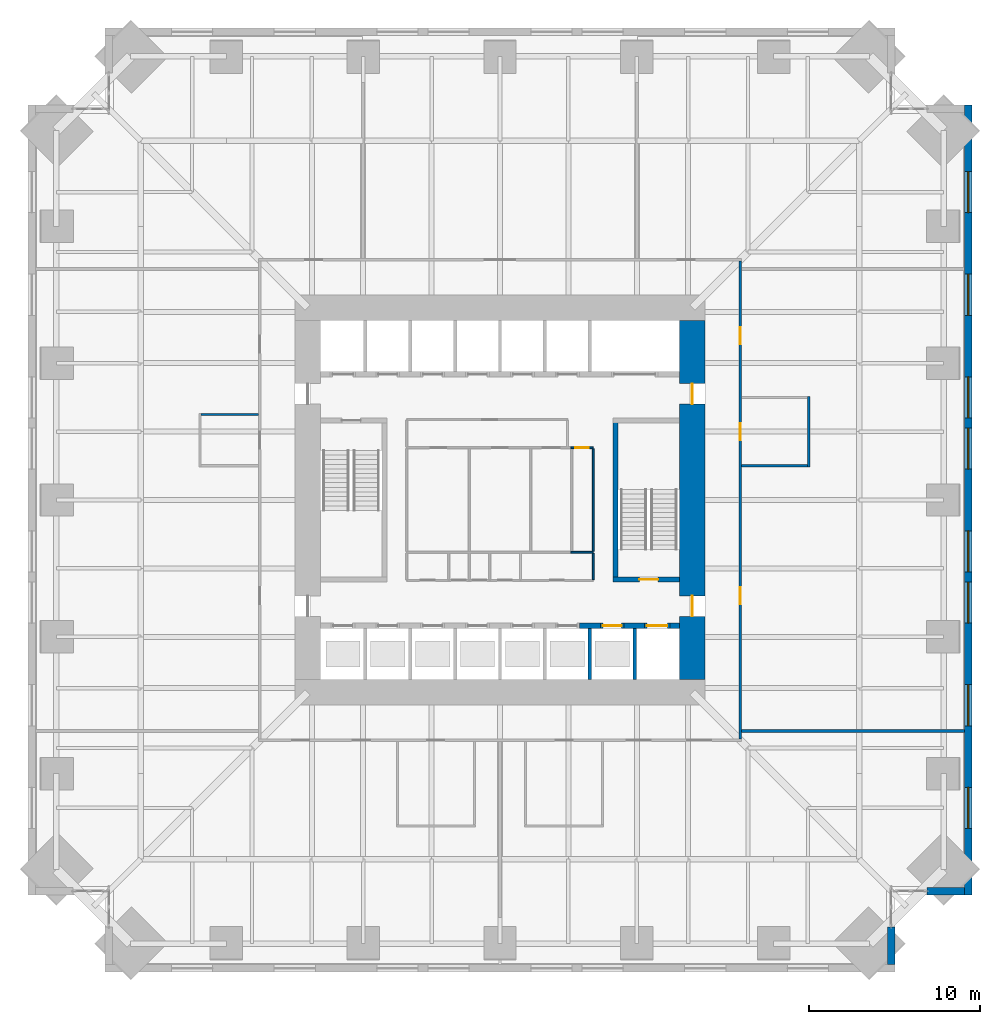
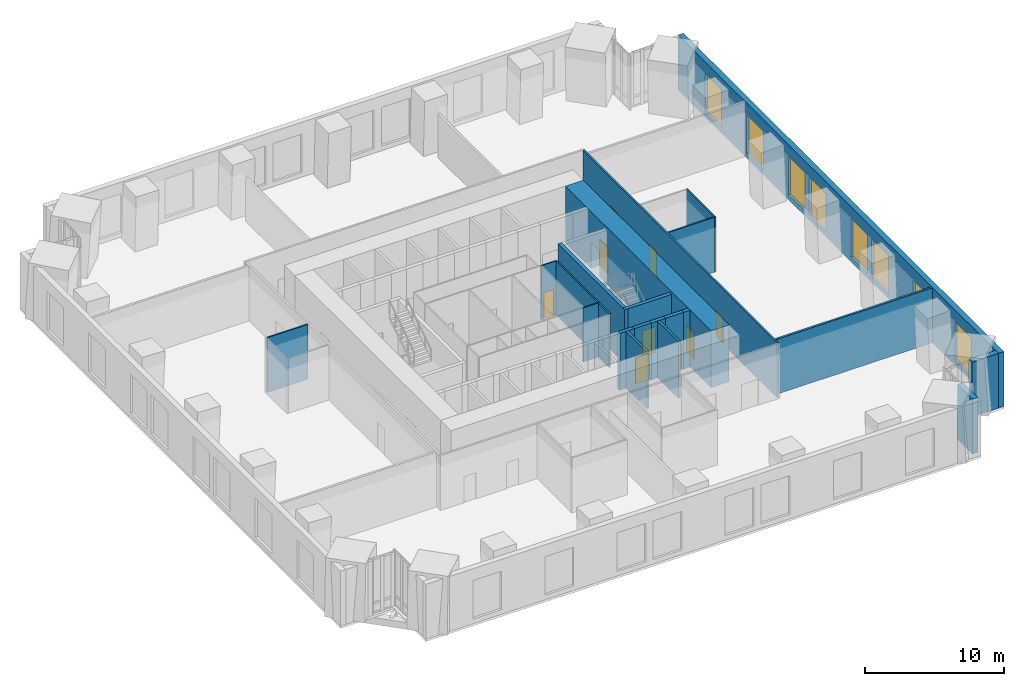
# One storey, part 14 of 18: 22 walls, 9 doors, 8 windows, 17 openings.
"""IFC4 building model written with IfcOpenShell, lengths in metres."""

import ifcopenshell
import ifcopenshell.guid

model = None  # the IFC model being written
_history = None  # IfcOwnerHistory: only IFC2X3 demands one
_inside = {}  # id of a spatial element -> (the spatial element, [elements in it])
_under = {}  # id of a project, library or spatial element -> (it, [spatial elements below it])
_declared = {}  # id of a project -> (the project, [libraries it declares])
_typed = {}  # id of a type object -> (the type object, [elements of that type])
_made_of = {}  # id of a material, layer set ... -> (it, [elements and type objects made of it])


def new_model(schema):
    """Start an empty IFC model of exactly this schema.

    Asked for "IFC4X3", IfcOpenShell would pick the latest addendum, in which some entities
    have other attributes; the version numbers below select the first issue.
    IFC2X3 requires an IfcOwnerHistory on every rooted entity: one is made here for all.
    """
    global model, _history
    if schema == "IFC4X3":
        model = ifcopenshell.file(schema_version=(4, 3, 0, 0))
    else:
        model = ifcopenshell.file(schema=schema)
    _inside.clear()
    _under.clear()
    _declared.clear()
    _typed.clear()
    _made_of.clear()
    _history = None
    if model.schema == "IFC2X3":
        org = make("IfcOrganization", Name="unknown")
        user = make(
            "IfcPersonAndOrganization",
            ThePerson=make("IfcPerson", FamilyName="unknown"),
            TheOrganization=org,
        )
        app = make(
            "IfcApplication",
            ApplicationDeveloper=org,
            Version="unknown",
            ApplicationFullName="unknown",
            ApplicationIdentifier="unknown",
        )
        _history = make(
            "IfcOwnerHistory",
            OwningUser=user,
            OwningApplication=app,
            ChangeAction="ADDED",
            CreationDate=0,
        )
    return model


def make(cls, **values):
    """One entity of the class cls with the attributes given. An attribute that is None is left unset."""
    return model.create_entity(
        cls, **{name: value for name, value in values.items() if value is not None}
    )


def rooted(cls, **values):
    """An entity with a GlobalId (a new one), such as an element, a storey or a relation."""
    return make(cls, GlobalId=ifcopenshell.guid.new(), OwnerHistory=_history, **values)


def si_unit(unit_type, name, prefix=None):
    """IfcSIUnit, for example si_unit("LENGTHUNIT", "METRE", prefix="MILLI")."""
    return make("IfcSIUnit", UnitType=unit_type, Prefix=prefix, Name=name)


def assignment(units):
    """IfcUnitAssignment: the units of a project."""
    return None if units is None else make("IfcUnitAssignment", Units=units)


def point(xyz):
    """IfcCartesianPoint."""
    return None if xyz is None else make("IfcCartesianPoint", Coordinates=xyz)


def direction(xyz):
    """IfcDirection."""
    return None if xyz is None else make("IfcDirection", DirectionRatios=xyz)


def frame(location, z_axis=None, x_axis=None):
    """IfcAxis2Placement3D, a coordinate frame: its origin and axes. An axis left out is left unset."""
    return make(
        "IfcAxis2Placement3D",
        Location=point(location),
        Axis=direction(z_axis),
        RefDirection=direction(x_axis),
    )


def frame_2d(location, x_axis=None):
    """IfcAxis2Placement2D, a coordinate frame in the plane: its origin and x axis."""
    return make(
        "IfcAxis2Placement2D", Location=point(location), RefDirection=direction(x_axis)
    )


def origin():
    """The frame at (0, 0, 0) with its axes left unset."""
    return frame((0.0, 0.0, 0.0))


def place(relative_to, where):
    """IfcLocalPlacement: puts the frame where relative to a parent placement (None: the world)."""
    return make(
        "IfcLocalPlacement", PlacementRelTo=relative_to, RelativePlacement=where
    )


def context(
    kind, dimensions, precision=None, world=None, true_north=None, identifier=None
):
    """IfcGeometricRepresentationContext, for example the 3D "Model" context."""
    return make(
        "IfcGeometricRepresentationContext",
        ContextIdentifier=identifier,
        ContextType=kind,
        CoordinateSpaceDimension=dimensions,
        Precision=precision,
        WorldCoordinateSystem=world,
        TrueNorth=true_north,
    )


def subcontext(parent, identifier, kind, view, scale=None):
    """IfcGeometricRepresentationSubContext, for example "Body" below "Model"."""
    return make(
        "IfcGeometricRepresentationSubContext",
        ContextIdentifier=identifier,
        ContextType=kind,
        ParentContext=parent,
        TargetScale=scale,
        TargetView=view,
    )


def project(units=None, contexts=None):
    """IfcProject with its units and contexts."""
    return rooted(
        "IfcProject",
        Name="project",
        RepresentationContexts=contexts,
        UnitsInContext=assignment(units),
    )


def spatial(cls, under=None, at=None, **own):
    """A site, building, storey or space (cls), placed at a placement, below another one or the project."""
    s = rooted(cls, ObjectPlacement=at, **own)
    if under is not None:
        _under.setdefault(under.id(), (under, []))[1].append(s)
    return s


def profile(cls, at=None, kind="AREA", **sizes):
    """A parametric profile (cls). Its sizes go by their IFC names, for example OverallWidth=200.0."""
    return make(cls, ProfileType=kind, Position=at, **sizes)


def rectangle(**sizes):
    """IfcRectangleProfileDef."""
    return profile("IfcRectangleProfileDef", **sizes)


def extrude(swept, where, along, depth):
    """IfcExtrudedAreaSolid: the profile swept, set in the frame where, extruded along a direction by depth."""
    return make(
        "IfcExtrudedAreaSolid",
        SweptArea=swept,
        Position=where,
        ExtrudedDirection=direction(along),
        Depth=depth,
    )


def shape(context_of_items, identifier, shape_type, items):
    """IfcShapeRepresentation: the items that make up one representation, for example the "Body"."""
    return make(
        "IfcShapeRepresentation",
        ContextOfItems=context_of_items,
        RepresentationIdentifier=identifier,
        RepresentationType=shape_type,
        Items=items,
    )


def material(Name=None, Category=None):
    """IfcMaterial."""
    return make("IfcMaterial", Name=Name, Category=Category)


def layer(
    of_material, thickness, ventilated=None, Name=None, Category=None, Priority=None
):
    """IfcMaterialLayer: one layer of a wall or slab, of a material (None: an air gap)."""
    return make(
        "IfcMaterialLayer",
        Material=of_material,
        LayerThickness=thickness,
        IsVentilated=ventilated,
        Name=Name,
        Category=Category,
        Priority=Priority,
    )


def layer_set(layers, Name=None):
    """IfcMaterialLayerSet."""
    return make("IfcMaterialLayerSet", MaterialLayers=layers, LayerSetName=Name)


def made_of(thing, what):
    """Note that an element or type object is made of a material, layer set ...; save() writes the relation."""
    if what is not None:
        _made_of.setdefault(what.id(), (what, []))[1].append(thing)
    return thing


def type_object(cls, material=None, **own):
    """A type object (cls), such as IfcWallType, which elements share."""
    return made_of(rooted(cls, **own), material)


def element(
    cls,
    number,
    at=None,
    inside=None,
    cuts=None,
    type_object=None,
    material=None,
    context=None,
    identifier="Body",
    shape_type=None,
    held_by="IfcProductDefinitionShape",
    body=None,
    shapes=None,
    **own,
):
    """One element of the class cls, such as IfcWall. Its Tag is "e" and its number.

    at: its placement. inside: the storey or other place that contains it. cuts: it is an
    opening in that element (IfcRelVoidsElement). A single representation is given by context,
    identifier, shape_type and body (its items); several are given by shapes. held_by: the class
    of the entity that holds the representations. save() writes the other relations.
    """
    e = rooted(cls, Tag="e%d" % number, ObjectPlacement=at, **own)
    if body is not None:
        shapes = [shape(context, identifier, shape_type, body)]
    if shapes is not None:
        e.Representation = make(held_by, Representations=shapes)
    if inside is not None:
        _inside.setdefault(inside.id(), (inside, []))[1].append(e)
    if cuts is not None:
        rooted(
            "IfcRelVoidsElement", RelatingBuildingElement=cuts, RelatedOpeningElement=e
        )
    if type_object is not None:
        _typed.setdefault(type_object.id(), (type_object, []))[1].append(e)
    return made_of(e, material)


def fill(opening, filler):
    """IfcRelFillsElement: the door or window that sits in an opening."""
    return rooted(
        "IfcRelFillsElement",
        RelatingOpeningElement=opening,
        RelatedBuildingElement=filler,
    )


def aggregate(whole, parts):
    """IfcRelAggregates: a whole, such as a stair, and the parts it consists of."""
    return rooted("IfcRelAggregates", RelatingObject=whole, RelatedObjects=parts)


def save(model, path):
    """Write the relations noted so far, then the file.

    IfcRelAggregates (storeys below a building ...), IfcRelContainedInSpatialStructure (elements
    in a storey), IfcRelDefinesByType, IfcRelAssociatesMaterial and IfcRelDeclares: one each for
    every whole, place, type object, material and project.
    """
    for whole, parts in _under.values():
        aggregate(whole, parts)
    for where, things in _inside.values():
        rooted(
            "IfcRelContainedInSpatialStructure",
            RelatedElements=things,
            RelatingStructure=where,
        )
    for kind, things in _typed.values():
        rooted("IfcRelDefinesByType", RelatedObjects=things, RelatingType=kind)
    for what, things in _made_of.values():
        rooted("IfcRelAssociatesMaterial", RelatedObjects=things, RelatingMaterial=what)
    for by, libraries in _declared.values():
        rooted("IfcRelDeclares", RelatingContext=by, RelatedDefinitions=libraries)
    model.write(path)


model = new_model("IFC4")

# Units and contexts
model_context = context("Model", 3, precision=1e-05, world=origin(), true_north=direction((0.0, 1.0)))
body_context = subcontext(model_context, "Body", "Model", "MODEL_VIEW")
ifc_project = project(units=[si_unit("LENGTHUNIT", "METRE"), si_unit("AREAUNIT", "SQUARE_METRE"), si_unit("VOLUMEUNIT", "CUBIC_METRE"), si_unit("PLANEANGLEUNIT", "RADIAN"), si_unit("MASSUNIT", "GRAM", prefix="KILO")], contexts=[model_context])

# Site, building, storey
site_placement = place(None, origin())
site = spatial("IfcSite", under=ifc_project, at=site_placement, CompositionType="ELEMENT")
building_placement = place(site_placement, origin())
building = spatial("IfcBuilding", under=site, at=building_placement, Name="Peilmerk Tower", CompositionType="ELEMENT")
storey_placement = place(building_placement, frame((0.0, 0.0, 122.800048828125)))
storey = spatial("IfcBuildingStorey", under=building, at=storey_placement, Name="L24", CompositionType="ELEMENT", Elevation=122.800048828125)

# Wall, openings, windows
ifc_material_1 = material(Name="Precast concrete C45/55, board-marked finish", Category="concrete")
ifc_layer_1 = layer(ifc_material_1, 0.449951171875)
ifc_layer_set_1 = layer_set([ifc_layer_1], Name="Precast concrete C45/55, board-marked finish")
wall_type_1 = type_object("IfcWallType", Name="EW1 450 precast concrete facade wall, board-marked", PredefinedType="SOLIDWALL", material=ifc_layer_set_1)
wall_1_placement = place(storey_placement, frame((27.375, -23.10009765625, 0.0), z_axis=(0.0, 0.0, 1.0), x_axis=(0.0, 1.0, 0.0)))
wall_1 = element("IfcWall", 1, at=wall_1_placement, inside=storey, type_object=wall_type_1, Name="Facade wall E L24", PredefinedType="SOLIDWALL", context=body_context, shape_type="SweptSolid", body=[
    extrude(rectangle(XDim=46.2001953125, YDim=0.449951171875, at=frame_2d((23.10009765625, 0.0))), origin(), (0.0, 0.0, 1.0), 4.829833984375),
])
opening_1_placement = place(wall_1_placement, frame((3.89990234375, 0.0, 0.39990234375)))
opening_1 = element("IfcOpeningElement", 2, at=opening_1_placement, cuts=wall_1, Name="Opening W6", PredefinedType="OPENING", context=body_context, shape_type="SweptSolid", body=[
    extrude(rectangle(XDim=2.39990234375, YDim=3.39990234375, at=frame_2d((1.199951171875, 1.699951171875))), frame((0.0, 0.23486328125, 0.0), z_axis=(0.0, -1.0, 0.0), x_axis=(1.0, 0.0, 0.0)), (0.0, 0.0, 1.0), 0.469970703125),
])
opening_2_placement = place(wall_1_placement, frame((9.89990234375, 0.0, 0.39990234375)))
opening_2 = element("IfcOpeningElement", 3, at=opening_2_placement, cuts=wall_1, Name="Opening W6", PredefinedType="OPENING", context=body_context, shape_type="SweptSolid", body=[
    extrude(rectangle(XDim=2.39990234375, YDim=3.39990234375, at=frame_2d((1.199951171875, 1.699951171875))), frame((0.0, 0.23486328125, 0.0), z_axis=(0.0, -1.0, 0.0), x_axis=(1.0, 0.0, 0.0)), (0.0, 0.0, 1.0), 0.469970703125),
])
opening_3_placement = place(wall_1_placement, frame((15.89990234375, 0.0, 0.39990234375)))
opening_3 = element("IfcOpeningElement", 4, at=opening_3_placement, cuts=wall_1, Name="Opening W6", PredefinedType="OPENING", context=body_context, shape_type="SweptSolid", body=[
    extrude(rectangle(XDim=2.39990234375, YDim=3.39990234375, at=frame_2d((1.199951171875, 1.699951171875))), frame((0.0, 0.23486328125, 0.0), z_axis=(0.0, -1.0, 0.0), x_axis=(1.0, 0.0, 0.0)), (0.0, 0.0, 1.0), 0.469970703125),
])
opening_4_placement = place(wall_1_placement, frame((18.89990234375, 0.0, 0.39990234375)))
opening_4 = element("IfcOpeningElement", 5, at=opening_4_placement, cuts=wall_1, Name="Opening W6", PredefinedType="OPENING", context=body_context, shape_type="SweptSolid", body=[
    extrude(rectangle(XDim=2.39990234375, YDim=3.39990234375, at=frame_2d((1.199951171875, 1.699951171875))), frame((0.0, 0.23486328125, 0.0), z_axis=(0.0, -1.0, 0.0), x_axis=(1.0, 0.0, 0.0)), (0.0, 0.0, 1.0), 0.469970703125),
])
opening_5_placement = place(wall_1_placement, frame((24.89990234375, 0.0, 0.39990234375)))
opening_5 = element("IfcOpeningElement", 6, at=opening_5_placement, cuts=wall_1, Name="Opening W6", PredefinedType="OPENING", context=body_context, shape_type="SweptSolid", body=[
    extrude(rectangle(XDim=2.39990234375, YDim=3.39990234375, at=frame_2d((1.199951171875, 1.699951171875))), frame((0.0, 0.23486328125, 0.0), z_axis=(0.0, -1.0, 0.0), x_axis=(1.0, 0.0, 0.0)), (0.0, 0.0, 1.0), 0.469970703125),
])
opening_6_placement = place(wall_1_placement, frame((27.89990234375, 0.0, 0.39990234375)))
opening_6 = element("IfcOpeningElement", 7, at=opening_6_placement, cuts=wall_1, Name="Opening W6", PredefinedType="OPENING", context=body_context, shape_type="SweptSolid", body=[
    extrude(rectangle(XDim=2.39990234375, YDim=3.39990234375, at=frame_2d((1.199951171875, 1.699951171875))), frame((0.0, 0.23486328125, 0.0), z_axis=(0.0, -1.0, 0.0), x_axis=(1.0, 0.0, 0.0)), (0.0, 0.0, 1.0), 0.469970703125),
])
opening_7_placement = place(wall_1_placement, frame((33.89990234375, 0.0, 0.39990234375)))
opening_7 = element("IfcOpeningElement", 8, at=opening_7_placement, cuts=wall_1, Name="Opening W6", PredefinedType="OPENING", context=body_context, shape_type="SweptSolid", body=[
    extrude(rectangle(XDim=2.39990234375, YDim=3.39990234375, at=frame_2d((1.199951171875, 1.699951171875))), frame((0.0, 0.23486328125, 0.0), z_axis=(0.0, -1.0, 0.0), x_axis=(1.0, 0.0, 0.0)), (0.0, 0.0, 1.0), 0.469970703125),
])
opening_8_placement = place(wall_1_placement, frame((39.89990234375, 0.0, 0.39990234375)))
opening_8 = element("IfcOpeningElement", 9, at=opening_8_placement, cuts=wall_1, Name="Opening W6", PredefinedType="OPENING", context=body_context, shape_type="SweptSolid", body=[
    extrude(rectangle(XDim=2.39990234375, YDim=3.39990234375, at=frame_2d((1.199951171875, 1.699951171875))), frame((0.0, 0.23486328125, 0.0), z_axis=(0.0, -1.0, 0.0), x_axis=(1.0, 0.0, 0.0)), (0.0, 0.0, 1.0), 0.469970703125),
])
ifc_material_2 = material(Name="Aluminium frame, clear double glazing", Category="aluminium")
window_type = type_object("IfcWindowType", Name="W6 2400x3400 sky lobby window", PartitioningType="SINGLE_PANEL", PredefinedType="WINDOW", material=ifc_material_2)
window_1_placement = place(opening_1_placement, origin())
window_1 = element("IfcWindow", 10, at=window_1_placement, inside=storey, type_object=window_type, Name="Window W6 L24", OverallHeight=3.39990234375, OverallWidth=2.39990234375, PartitioningType="SINGLE_PANEL", PredefinedType="WINDOW", context=body_context, shape_type="SweptSolid", body=[
    extrude(rectangle(XDim=2.39990234375, YDim=3.39990234375, at=frame_2d((1.199951171875, 1.699951171875))), frame((0.0, 0.030029296875, 0.0), z_axis=(0.0, -1.0, 0.0), x_axis=(1.0, 0.0, 0.0)), (0.0, 0.0, 1.0), 0.06005859375),
])
fill(opening_1, window_1)
window_2_placement = place(opening_2_placement, origin())
window_2 = element("IfcWindow", 11, at=window_2_placement, inside=storey, type_object=window_type, Name="Window W6 L24", OverallHeight=3.39990234375, OverallWidth=2.39990234375, PartitioningType="SINGLE_PANEL", PredefinedType="WINDOW", context=body_context, shape_type="SweptSolid", body=[
    extrude(rectangle(XDim=2.39990234375, YDim=3.39990234375, at=frame_2d((1.199951171875, 1.699951171875))), frame((0.0, 0.030029296875, 0.0), z_axis=(0.0, -1.0, 0.0), x_axis=(1.0, 0.0, 0.0)), (0.0, 0.0, 1.0), 0.06005859375),
])
fill(opening_2, window_2)
window_3_placement = place(opening_3_placement, origin())
window_3 = element("IfcWindow", 12, at=window_3_placement, inside=storey, type_object=window_type, Name="Window W6 L24", OverallHeight=3.39990234375, OverallWidth=2.39990234375, PartitioningType="SINGLE_PANEL", PredefinedType="WINDOW", context=body_context, shape_type="SweptSolid", body=[
    extrude(rectangle(XDim=2.39990234375, YDim=3.39990234375, at=frame_2d((1.199951171875, 1.699951171875))), frame((0.0, 0.030029296875, 0.0), z_axis=(0.0, -1.0, 0.0), x_axis=(1.0, 0.0, 0.0)), (0.0, 0.0, 1.0), 0.06005859375),
])
fill(opening_3, window_3)
window_4_placement = place(opening_4_placement, origin())
window_4 = element("IfcWindow", 13, at=window_4_placement, inside=storey, type_object=window_type, Name="Window W6 L24", OverallHeight=3.39990234375, OverallWidth=2.39990234375, PartitioningType="SINGLE_PANEL", PredefinedType="WINDOW", context=body_context, shape_type="SweptSolid", body=[
    extrude(rectangle(XDim=2.39990234375, YDim=3.39990234375, at=frame_2d((1.199951171875, 1.699951171875))), frame((0.0, 0.030029296875, 0.0), z_axis=(0.0, -1.0, 0.0), x_axis=(1.0, 0.0, 0.0)), (0.0, 0.0, 1.0), 0.06005859375),
])
fill(opening_4, window_4)
window_5_placement = place(opening_5_placement, origin())
window_5 = element("IfcWindow", 14, at=window_5_placement, inside=storey, type_object=window_type, Name="Window W6 L24", OverallHeight=3.39990234375, OverallWidth=2.39990234375, PartitioningType="SINGLE_PANEL", PredefinedType="WINDOW", context=body_context, shape_type="SweptSolid", body=[
    extrude(rectangle(XDim=2.39990234375, YDim=3.39990234375, at=frame_2d((1.199951171875, 1.699951171875))), frame((0.0, 0.030029296875, 0.0), z_axis=(0.0, -1.0, 0.0), x_axis=(1.0, 0.0, 0.0)), (0.0, 0.0, 1.0), 0.06005859375),
])
fill(opening_5, window_5)
window_6_placement = place(opening_6_placement, origin())
window_6 = element("IfcWindow", 15, at=window_6_placement, inside=storey, type_object=window_type, Name="Window W6 L24", OverallHeight=3.39990234375, OverallWidth=2.39990234375, PartitioningType="SINGLE_PANEL", PredefinedType="WINDOW", context=body_context, shape_type="SweptSolid", body=[
    extrude(rectangle(XDim=2.39990234375, YDim=3.39990234375, at=frame_2d((1.199951171875, 1.699951171875))), frame((0.0, 0.030029296875, 0.0), z_axis=(0.0, -1.0, 0.0), x_axis=(1.0, 0.0, 0.0)), (0.0, 0.0, 1.0), 0.06005859375),
])
fill(opening_6, window_6)
window_7_placement = place(opening_7_placement, origin())
window_7 = element("IfcWindow", 16, at=window_7_placement, inside=storey, type_object=window_type, Name="Window W6 L24", OverallHeight=3.39990234375, OverallWidth=2.39990234375, PartitioningType="SINGLE_PANEL", PredefinedType="WINDOW", context=body_context, shape_type="SweptSolid", body=[
    extrude(rectangle(XDim=2.39990234375, YDim=3.39990234375, at=frame_2d((1.199951171875, 1.699951171875))), frame((0.0, 0.030029296875, 0.0), z_axis=(0.0, -1.0, 0.0), x_axis=(1.0, 0.0, 0.0)), (0.0, 0.0, 1.0), 0.06005859375),
])
fill(opening_7, window_7)
window_8_placement = place(opening_8_placement, origin())
window_8 = element("IfcWindow", 17, at=window_8_placement, inside=storey, type_object=window_type, Name="Window W6 L24", OverallHeight=3.39990234375, OverallWidth=2.39990234375, PartitioningType="SINGLE_PANEL", PredefinedType="WINDOW", context=body_context, shape_type="SweptSolid", body=[
    extrude(rectangle(XDim=2.39990234375, YDim=3.39990234375, at=frame_2d((1.199951171875, 1.699951171875))), frame((0.0, 0.030029296875, 0.0), z_axis=(0.0, -1.0, 0.0), x_axis=(1.0, 0.0, 0.0)), (0.0, 0.0, 1.0), 0.06005859375),
])
fill(opening_8, window_8)

# Walls
for number, where, z_axis, x_axis, name in (
    (18, (22.875, -24.95361328125, 0.0), (0.0, 0.0, 1.0), (0.0, -1.0, 0.0), "Facade wall SEA L24"),
    (19, (24.95361328125, -22.875, 0.0), (0.0, 0.0, 1.0), (1.0, 0.0, 0.0), "Facade wall SEB L24"),
):
    element("IfcWall", number, at=place(storey_placement, frame(where, z_axis=z_axis, x_axis=x_axis)), inside=storey, type_object=wall_type_1, Name=name, PredefinedType="SOLIDWALL", context=body_context, shape_type="SweptSolid", body=[
        extrude(rectangle(XDim=2.1962890625, YDim=0.449951171875, at=frame_2d((1.09814453125, 0.0))), origin(), (0.0, 0.0, 1.0), 4.829833984375),
    ])

# Wall, openings, doors
ifc_material_3 = material(Name="Calcium silicate block", Category="masonry")
ifc_layer_2 = layer(ifc_material_3, 0.14990234375)
ifc_layer_set_2 = layer_set([ifc_layer_2], Name="Calcium silicate block")
wall_type_2 = type_object("IfcWallType", Name="IW1 150 corridor partition, EI 60", PredefinedType="PARTITIONING", material=ifc_layer_set_2)
wall_2_placement = place(storey_placement, frame((14.050048828125, -13.97509765625, 0.0), z_axis=(0.0, 0.0, 1.0), x_axis=(0.0, 1.0, 0.0)))
wall_2 = element("IfcWall", 20, at=wall_2_placement, inside=storey, type_object=wall_type_2, Name="Corridor wall E L24", PredefinedType="PARTITIONING", context=body_context, shape_type="SweptSolid", body=[
    extrude(rectangle(XDim=27.9501953125, YDim=0.14990234375, at=frame_2d((13.97509765625, 0.0))), origin(), (0.0, 0.0, 1.0), 4.829833984375),
])
opening_9_placement = place(wall_2_placement, frame((7.875, 0.0, 0.0)))
opening_9 = element("IfcOpeningElement", 21, at=opening_9_placement, cuts=wall_2, Name="Opening D1", PredefinedType="OPENING", context=body_context, shape_type="SweptSolid", body=[
    extrude(rectangle(XDim=1.0, YDim=2.300048828125, at=frame_2d((0.5, 1.14990234375))), frame((0.0, 0.0849609375, 0.0), z_axis=(0.0, -1.0, 0.0), x_axis=(1.0, 0.0, 0.0)), (0.0, 0.0, 1.0), 0.169921875),
])
opening_10_placement = place(wall_2_placement, frame((23.074951171875, 0.0, 0.0)))
opening_10 = element("IfcOpeningElement", 22, at=opening_10_placement, cuts=wall_2, Name="Opening D1", PredefinedType="OPENING", context=body_context, shape_type="SweptSolid", body=[
    extrude(rectangle(XDim=1.0, YDim=2.300048828125, at=frame_2d((0.5, 1.14990234375))), frame((0.0, 0.0849609375, 0.0), z_axis=(0.0, -1.0, 0.0), x_axis=(1.0, 0.0, 0.0)), (0.0, 0.0, 1.0), 0.169921875),
])
opening_11_placement = place(wall_2_placement, frame((17.47509765625, 0.0, 0.0)))
opening_11 = element("IfcOpeningElement", 23, at=opening_11_placement, cuts=wall_2, Name="Opening D1", PredefinedType="OPENING", context=body_context, shape_type="SweptSolid", body=[
    extrude(rectangle(XDim=1.0, YDim=2.300048828125, at=frame_2d((0.5, 1.14990234375))), frame((0.0, 0.0849609375, 0.0), z_axis=(0.0, -1.0, 0.0), x_axis=(1.0, 0.0, 0.0)), (0.0, 0.0, 1.0), 0.169921875),
])
ifc_material_4 = material(Name="Timber door in steel frame", Category="steel")
door_type_1 = type_object("IfcDoorType", Name="D1 1000x2300 room door, EI2 30", OperationType="SINGLE_SWING_LEFT", PredefinedType="DOOR", material=ifc_material_4)
door_1_placement = place(opening_9_placement, frame((1.0, 0.0, 0.0), z_axis=(0.0, 0.0, 1.0), x_axis=(-1.0, 0.0, 0.0)))
door_1 = element("IfcDoor", 24, at=door_1_placement, inside=storey, type_object=door_type_1, Name="Door Office L24", OperationType="SINGLE_SWING_LEFT", OverallHeight=2.300048828125, OverallWidth=1.0, PredefinedType="DOOR", context=body_context, shape_type="SweptSolid", body=[
    extrude(rectangle(XDim=1.0, YDim=2.300048828125, at=frame_2d((0.5, 1.14990234375))), frame((0.0, 0.02490234375, 0.0), z_axis=(0.0, -1.0, 0.0), x_axis=(1.0, 0.0, 0.0)), (0.0, 0.0, 1.0), 0.050048828125),
])
fill(opening_9, door_1)
door_2_placement = place(opening_10_placement, frame((1.0, 0.0, 0.0), z_axis=(0.0, 0.0, 1.0), x_axis=(-1.0, 0.0, 0.0)))
door_2 = element("IfcDoor", 25, at=door_2_placement, inside=storey, type_object=door_type_1, Name="Door Office L24", OperationType="SINGLE_SWING_LEFT", OverallHeight=2.300048828125, OverallWidth=1.0, PredefinedType="DOOR", context=body_context, shape_type="SweptSolid", body=[
    extrude(rectangle(XDim=1.0, YDim=2.300048828125, at=frame_2d((0.5, 1.14990234375))), frame((0.0, 0.02490234375, 0.0), z_axis=(0.0, -1.0, 0.0), x_axis=(1.0, 0.0, 0.0)), (0.0, 0.0, 1.0), 0.050048828125),
])
fill(opening_10, door_2)
door_3_placement = place(opening_11_placement, frame((1.0, 0.0, 0.0), z_axis=(0.0, 0.0, 1.0), x_axis=(-1.0, 0.0, 0.0)))
door_3 = element("IfcDoor", 26, at=door_3_placement, inside=storey, type_object=door_type_1, Name="Door Pantry L24", OperationType="SINGLE_SWING_LEFT", OverallHeight=2.300048828125, OverallWidth=1.0, PredefinedType="DOOR", context=body_context, shape_type="SweptSolid", body=[
    extrude(rectangle(XDim=1.0, YDim=2.300048828125, at=frame_2d((0.5, 1.14990234375))), frame((0.0, 0.02490234375, 0.0), z_axis=(0.0, -1.0, 0.0), x_axis=(1.0, 0.0, 0.0)), (0.0, 0.0, 1.0), 0.050048828125),
])
fill(opening_11, door_3)

# Wall
ifc_material_5 = material(Name="Concrete C35/45", Category="concrete")
ifc_layer_3 = layer(ifc_material_5, 0.300048828125)
ifc_layer_set_3 = layer_set([ifc_layer_3], Name="Concrete C35/45")
wall_type_3 = type_object("IfcWallType", Name="IW3 300 concrete stair enclosure wall, EI 120", PredefinedType="SOLIDWALL", material=ifc_layer_set_3)
wall_3_placement = place(storey_placement, frame((6.75, -4.800048828125, 0.0), z_axis=(0.0, 0.0, 1.0), x_axis=(0.0, 1.0, 0.0)))
element("IfcWall", 27, at=wall_3_placement, inside=storey, type_object=wall_type_3, Name="Stair 2 enclosure L24", PredefinedType="SOLIDWALL", context=body_context, shape_type="SweptSolid", body=[
    extrude(rectangle(XDim=9.60009765625, YDim=0.300048828125, at=frame_2d((4.800048828125, 0.0))), origin(), (0.0, 0.0, 1.0), 4.75),
])

# Wall, opening, door
wall_4_placement = place(storey_placement, frame((10.5, -4.64990234375, 0.0), z_axis=(0.0, 0.0, 1.0), x_axis=(-1.0, 0.0, 0.0)))
wall_4 = element("IfcWall", 28, at=wall_4_placement, inside=storey, type_object=wall_type_3, Name="Stair 2 enclosure L24", PredefinedType="SOLIDWALL", context=body_context, shape_type="SweptSolid", body=[
    extrude(rectangle(XDim=3.89990234375, YDim=0.300048828125, at=frame_2d((1.949951171875, 0.0))), origin(), (0.0, 0.0, 1.0), 4.75),
])
opening_12_placement = place(wall_4_placement, frame((1.25, 0.0, 0.0)))
opening_12 = element("IfcOpeningElement", 29, at=opening_12_placement, cuts=wall_4, Name="Opening D4", PredefinedType="OPENING", context=body_context, shape_type="SweptSolid", body=[
    extrude(rectangle(XDim=1.10009765625, YDim=2.300048828125, at=frame_2d((0.550048828125, 1.14990234375))), frame((0.0, 0.159912109375, 0.0), z_axis=(0.0, -1.0, 0.0), x_axis=(1.0, 0.0, 0.0)), (0.0, 0.0, 1.0), 0.320068359375),
])
ifc_material_6 = material(Name="Steel door in steel frame", Category="steel")
door_type_2 = type_object("IfcDoorType", Name="D4 1100x2300 stair door, EI2 60", OperationType="SINGLE_SWING_RIGHT", PredefinedType="DOOR", material=ifc_material_6)
door_4_placement = place(opening_12_placement, frame((1.10009765625, 0.0, 0.0), z_axis=(0.0, 0.0, 1.0), x_axis=(-1.0, 0.0, 0.0)))
door_4 = element("IfcDoor", 30, at=door_4_placement, inside=storey, type_object=door_type_2, Name="Stair 2 door L24", OperationType="SINGLE_SWING_RIGHT", OverallHeight=2.300048828125, OverallWidth=1.10009765625, PredefinedType="DOOR", context=body_context, shape_type="SweptSolid", body=[
    extrude(rectangle(XDim=1.10009765625, YDim=2.300048828125, at=frame_2d((0.550048828125, 1.14990234375))), frame((0.0, 0.02490234375, 0.0), z_axis=(0.0, -1.0, 0.0), x_axis=(1.0, 0.0, 0.0)), (0.0, 0.0, 1.0), 0.050048828125),
])
fill(opening_12, door_4)

ifc_material_7 = material(Name="Calcium silicate board on steel studs", Category="steel")
ifc_layer_4 = layer(ifc_material_7, 0.10009765625)
ifc_layer_set_4 = layer_set([ifc_layer_4], Name="Calcium silicate board on steel studs")
wall_type_4 = type_object("IfcWallType", Name="IW5 100 riser enclosure wall, EI 60", PredefinedType="PARTITIONING", material=ifc_layer_set_4)
wall_5_placement = place(storey_placement, frame((4.14990234375, 3.050048828125, 0.0), z_axis=(0.0, 0.0, 1.0), x_axis=(1.0, 0.0, 0.0)))
wall_5 = element("IfcWall", 31, at=wall_5_placement, inside=storey, type_object=wall_type_4, Name="Riser wall L24", PredefinedType="PARTITIONING", context=body_context, shape_type="SweptSolid", body=[
    extrude(rectangle(XDim=1.300048828125, YDim=0.10009765625, at=frame_2d((0.64990234375, 0.0))), origin(), (0.0, 0.0, 1.0), 4.75),
])
opening_13_placement = place(wall_5_placement, frame((0.25, 0.0, 0.0)))
opening_13 = element("IfcOpeningElement", 32, at=opening_13_placement, cuts=wall_5, Name="Opening D7", PredefinedType="OPENING", context=body_context, shape_type="SweptSolid", body=[
    extrude(rectangle(XDim=0.800048828125, YDim=2.300048828125, at=frame_2d((0.39990234375, 1.14990234375))), frame((0.0, 0.06005859375, 0.0), z_axis=(0.0, -1.0, 0.0), x_axis=(1.0, 0.0, 0.0)), (0.0, 0.0, 1.0), 0.1201171875),
])
door_type_3 = type_object("IfcDoorType", Name="D7 800x2300 riser access door, EI2 60", OperationType="SINGLE_SWING_RIGHT", PredefinedType="DOOR", material=ifc_material_6)
door_5_placement = place(opening_13_placement, frame((0.800048828125, 0.0, 0.0), z_axis=(0.0, 0.0, 1.0), x_axis=(-1.0, 0.0, 0.0)))
door_5 = element("IfcDoor", 33, at=door_5_placement, inside=storey, type_object=door_type_3, Name="Plumbing riser door L24", OperationType="SINGLE_SWING_RIGHT", OverallHeight=2.300048828125, OverallWidth=0.800048828125, PredefinedType="DOOR", context=body_context, shape_type="SweptSolid", body=[
    extrude(rectangle(XDim=0.800048828125, YDim=2.300048828125, at=frame_2d((0.39990234375, 1.14990234375))), frame((0.0, 0.02490234375, 0.0), z_axis=(0.0, -1.0, 0.0), x_axis=(1.0, 0.0, 0.0)), (0.0, 0.0, 1.0), 0.050048828125),
])
fill(opening_13, door_5)

# Walls
wall_6_placement = place(storey_placement, frame((5.449951171875, -3.050048828125, 0.0), z_axis=(0.0, 0.0, 1.0), x_axis=(-1.0, 0.0, 0.0)))
element("IfcWall", 34, at=wall_6_placement, inside=storey, type_object=wall_type_4, Name="Riser wall L24", PredefinedType="PARTITIONING", context=body_context, shape_type="SweptSolid", body=[
    extrude(rectangle(XDim=1.300048828125, YDim=0.10009765625, at=frame_2d((0.64990234375, 0.0))), origin(), (0.0, 0.0, 1.0), 4.75),
])
wall_7_placement = place(storey_placement, frame((5.449951171875, 3.0, 0.0), z_axis=(0.0, 0.0, 1.0), x_axis=(0.0, -1.0, 0.0)))
element("IfcWall", 35, at=wall_7_placement, inside=storey, type_object=wall_type_4, Name="Riser wall L24", PredefinedType="PARTITIONING", context=body_context, shape_type="SweptSolid", body=[
    extrude(rectangle(XDim=6.0, YDim=0.10009765625, at=frame_2d((3.0, 0.0))), origin(), (0.0, 0.0, 1.0), 4.75),
])
wall_8_placement = place(storey_placement, frame((5.449951171875, -3.10009765625, 0.0), z_axis=(0.0, 0.0, 1.0), x_axis=(0.0, -1.0, 0.0)))
element("IfcWall", 36, at=wall_8_placement, inside=storey, type_object=wall_type_4, Name="Riser wall L24", PredefinedType="PARTITIONING", context=body_context, shape_type="SweptSolid", body=[
    extrude(rectangle(XDim=1.5498046875, YDim=0.10009765625, at=frame_2d((0.77490234375, 0.0))), origin(), (0.0, 0.0, 1.0), 4.75),
])
ifc_material_8 = material(Name="Plasterboard on steel studs, double boarded with mineral wool", Category="steel")
ifc_layer_5 = layer(ifc_material_8, 0.125)
ifc_layer_set_5 = layer_set([ifc_layer_5], Name="Plasterboard on steel studs, double boarded with mineral wool")
wall_type_5 = type_object("IfcWallType", Name="IW7 125 acoustic partition, EI 30", PredefinedType="PARTITIONING", material=ifc_layer_set_5)
wall_9_placement = place(storey_placement, frame((18.050048828125, 1.9375, 0.0), z_axis=(0.0, 0.0, 1.0), x_axis=(0.0, 1.0, 0.0)))
element("IfcWall", 37, at=wall_9_placement, inside=storey, type_object=wall_type_5, Name="Acoustic partition Pantry L24", PredefinedType="PARTITIONING", context=body_context, shape_type="SweptSolid", body=[
    extrude(rectangle(XDim=4.125, YDim=0.125, at=frame_2d((2.0625, 0.0))), origin(), (0.0, 0.0, 1.0), 4.829833984375),
])
wall_10_placement = place(storey_placement, frame((14.125, 2.0, 0.0), z_axis=(0.0, 0.0, 1.0), x_axis=(1.0, 0.0, 0.0)))
element("IfcWall", 38, at=wall_10_placement, inside=storey, type_object=wall_type_5, Name="Acoustic partition Pantry L24", PredefinedType="PARTITIONING", context=body_context, shape_type="SweptSolid", body=[
    extrude(rectangle(XDim=3.862548828125, YDim=0.125, at=frame_2d((1.93115234375, 0.0))), origin(), (0.0, 0.0, 1.0), 4.829833984375),
])
wall_11_placement = place(storey_placement, frame((-14.125, 5.0, 0.0), z_axis=(0.0, 0.0, 1.0), x_axis=(-1.0, 0.0, 0.0)))
element("IfcWall", 39, at=wall_11_placement, inside=storey, type_object=wall_type_5, Name="Acoustic partition Focus room L24", PredefinedType="PARTITIONING", context=body_context, shape_type="SweptSolid", body=[
    extrude(rectangle(XDim=3.362548828125, YDim=0.125, at=frame_2d((1.68115234375, 0.0))), origin(), (0.0, 0.0, 1.0), 4.829833984375),
])
ifc_layer_6 = layer(ifc_material_3, 0.175048828125)
ifc_layer_set_6 = layer_set([ifc_layer_6], Name="Calcium silicate block")
wall_type_6 = type_object("IfcWallType", Name="IW8 175 tenant separating wall, EI 60", PredefinedType="PARTITIONING", material=ifc_layer_set_6)
wall_12_placement = place(storey_placement, frame((27.14990234375, -13.5, 0.0), z_axis=(0.0, 0.0, 1.0), x_axis=(-1.0, 0.0, 0.0)))
element("IfcWall", 40, at=wall_12_placement, inside=storey, type_object=wall_type_6, Name="Tenant separating wall SE L24", PredefinedType="PARTITIONING", context=body_context, shape_type="SweptSolid", body=[
    extrude(rectangle(XDim=13.02490234375, YDim=0.175048828125, at=frame_2d((6.512451171875, 0.0))), origin(), (0.0, 0.0, 1.0), 4.829833984375),
])
ifc_layer_7 = layer(ifc_material_3, 0.199951171875)
ifc_layer_set_7 = layer_set([ifc_layer_7], Name="Calcium silicate block")
wall_type_7 = type_object("IfcWallType", Name="SH1 200 shaft dividing wall, EI 120", PredefinedType="PARTITIONING", material=ifc_layer_set_7)
for number, where, z_axis, x_axis, name in (
    (41, (5.25, -10.5, 0.0), (0.0, 0.0, 1.0), (0.0, 1.0, 0.0), "Shaft wall S B2 L24"),
    (42, (7.875, -10.5, 0.0), (0.0, 0.0, 1.0), (0.0, 1.0, 0.0), "Shaft wall S B1 L24"),
):
    element("IfcWall", number, at=place(storey_placement, frame(where, z_axis=z_axis, x_axis=x_axis)), inside=storey, type_object=wall_type_7, Name=name, PredefinedType="PARTITIONING", context=body_context, shape_type="SweptSolid", body=[
        extrude(rectangle(XDim=3.0, YDim=0.199951171875, at=frame_2d((1.5, 0.0))), origin(), (0.0, 0.0, 1.0), 5.0),
    ])

# Wall, opening, door
ifc_layer_8 = layer(ifc_material_3, 0.300048828125)
ifc_layer_set_8 = layer_set([ifc_layer_8], Name="Calcium silicate block")
wall_type_8 = type_object("IfcWallType", Name="SH2 300 lift landing door panel, EI 120", PredefinedType="PARTITIONING", material=ifc_layer_set_8)
wall_13_placement = place(storey_placement, frame((5.862548828125, -7.35009765625, 0.0), z_axis=(0.0, 0.0, 1.0), x_axis=(1.0, 0.0, 0.0)))
wall_13 = element("IfcWall", 43, at=wall_13_placement, inside=storey, type_object=wall_type_8, Name="Lift door panel S B1 L24", PredefinedType="PARTITIONING", context=body_context, shape_type="SweptSolid", body=[
    extrude(rectangle(XDim=1.39990234375, YDim=0.300048828125, at=frame_2d((0.699951171875, 0.0))), origin(), (0.0, 0.0, 1.0), 5.0),
])
opening_14_placement = place(wall_13_placement, frame((0.14990234375, 0.0, 0.0)))
opening_14 = element("IfcOpeningElement", 44, at=opening_14_placement, cuts=wall_13, Name="Opening LD1", PredefinedType="OPENING", context=body_context, shape_type="SweptSolid", body=[
    extrude(rectangle(XDim=1.10009765625, YDim=2.300048828125, at=frame_2d((0.550048828125, 1.14990234375))), frame((0.0, 0.159912109375, 0.0), z_axis=(0.0, -1.0, 0.0), x_axis=(1.0, 0.0, 0.0)), (0.0, 0.0, 1.0), 0.320068359375),
])
ifc_material_9 = material(Name="Stainless steel landing door", Category="steel")
door_type_4 = type_object("IfcDoorType", Name="LD1 1100x2300 lift landing door, sliding, EI2 60", OperationType="SLIDING_TO_LEFT", PredefinedType="DOOR", material=ifc_material_9)
door_6_placement = place(opening_14_placement, origin())
door_6 = element("IfcDoor", 45, at=door_6_placement, inside=storey, type_object=door_type_4, Name="Lift landing door B1 L24", OperationType="SLIDING_TO_LEFT", OverallHeight=2.300048828125, OverallWidth=1.10009765625, PredefinedType="DOOR", context=body_context, shape_type="SweptSolid", body=[
    extrude(rectangle(XDim=1.10009765625, YDim=2.300048828125, at=frame_2d((0.550048828125, 1.14990234375))), frame((0.0, 0.02490234375, 0.0), z_axis=(0.0, -1.0, 0.0), x_axis=(1.0, 0.0, 0.0)), (0.0, 0.0, 1.0), 0.050048828125),
])
fill(opening_14, door_6)

wall_14_placement = place(storey_placement, frame((8.4375, -7.35009765625, 0.0), z_axis=(0.0, 0.0, 1.0), x_axis=(1.0, 0.0, 0.0)))
wall_14 = element("IfcWall", 46, at=wall_14_placement, inside=storey, type_object=wall_type_8, Name="Lift door panel S FL2 L24", PredefinedType="PARTITIONING", context=body_context, shape_type="SweptSolid", body=[
    extrude(rectangle(XDim=1.5, YDim=0.300048828125, at=frame_2d((0.75, 0.0))), origin(), (0.0, 0.0, 1.0), 5.0),
])
opening_15_placement = place(wall_14_placement, frame((0.14990234375, 0.0, 0.0)))
opening_15 = element("IfcOpeningElement", 47, at=opening_15_placement, cuts=wall_14, Name="Opening LD2", PredefinedType="OPENING", context=body_context, shape_type="SweptSolid", body=[
    extrude(rectangle(XDim=1.199951171875, YDim=2.300048828125, at=frame_2d((0.60009765625, 1.14990234375))), frame((0.0, 0.159912109375, 0.0), z_axis=(0.0, -1.0, 0.0), x_axis=(1.0, 0.0, 0.0)), (0.0, 0.0, 1.0), 0.320068359375),
])
door_type_5 = type_object("IfcDoorType", Name="LD2 1200x2300 lift landing door, sliding, EI2 60", OperationType="SLIDING_TO_LEFT", PredefinedType="DOOR", material=ifc_material_9)
door_7_placement = place(opening_15_placement, origin())
door_7 = element("IfcDoor", 48, at=door_7_placement, inside=storey, type_object=door_type_5, Name="Lift landing door FL2 L24", OperationType="SLIDING_TO_LEFT", OverallHeight=2.300048828125, OverallWidth=1.199951171875, PredefinedType="DOOR", context=body_context, shape_type="SweptSolid", body=[
    extrude(rectangle(XDim=1.199951171875, YDim=2.300048828125, at=frame_2d((0.60009765625, 1.14990234375))), frame((0.0, 0.02490234375, 0.0), z_axis=(0.0, -1.0, 0.0), x_axis=(1.0, 0.0, 0.0)), (0.0, 0.0, 1.0), 0.050048828125),
])
fill(opening_15, door_7)

# Wall, openings, doors
ifc_material_10 = material(Name="Concrete C55/67", Category="concrete")
ifc_layer_9 = layer(ifc_material_10, 1.5)
ifc_layer_set_9 = layer_set([ifc_layer_9], Name="Concrete C55/67")
wall_type_9 = type_object("IfcWallType", Name="SW1 1500 core wall", PredefinedType="SHEAR", material=ifc_layer_set_9)
wall_15_placement = place(storey_placement, frame((11.25, 10.5, 0.0), z_axis=(0.0, 0.0, 1.0), x_axis=(0.0, -1.0, 0.0)))
wall_15 = element("IfcWall", 49, at=wall_15_placement, inside=storey, type_object=wall_type_9, Name="Core wall E L24", PredefinedType="SHEAR", context=body_context, shape_type="SweptSolid", body=[
    extrude(rectangle(XDim=21.0, YDim=1.5, at=frame_2d((10.5, 0.0))), origin(), (0.0, 0.0, 1.0), 5.0),
])
opening_16_placement = place(wall_15_placement, frame((3.699951171875, 0.0, 0.0)))
opening_16 = element("IfcOpeningElement", 50, at=opening_16_placement, cuts=wall_15, Name="Opening D3", PredefinedType="OPENING", context=body_context, shape_type="SweptSolid", body=[
    extrude(rectangle(XDim=1.199951171875, YDim=2.300048828125, at=frame_2d((0.60009765625, 1.14990234375))), frame((0.0, 0.760009765625, 0.0), z_axis=(0.0, -1.0, 0.0), x_axis=(1.0, 0.0, 0.0)), (0.0, 0.0, 1.0), 1.52001953125),
])
opening_17_placement = place(wall_15_placement, frame((16.10009765625, 0.0, 0.0)))
opening_17 = element("IfcOpeningElement", 51, at=opening_17_placement, cuts=wall_15, Name="Opening D3", PredefinedType="OPENING", context=body_context, shape_type="SweptSolid", body=[
    extrude(rectangle(XDim=1.199951171875, YDim=2.300048828125, at=frame_2d((0.60009765625, 1.14990234375))), frame((0.0, 0.760009765625, 0.0), z_axis=(0.0, -1.0, 0.0), x_axis=(1.0, 0.0, 0.0)), (0.0, 0.0, 1.0), 1.52001953125),
])
door_type_6 = type_object("IfcDoorType", Name="D3 1200x2300 core door, EI2 60", OperationType="SINGLE_SWING_LEFT", PredefinedType="DOOR", material=ifc_material_6)
door_8_placement = place(opening_16_placement, frame((1.199951171875, 0.0, 0.0), z_axis=(0.0, 0.0, 1.0), x_axis=(-1.0, 0.0, 0.0)))
door_8 = element("IfcDoor", 52, at=door_8_placement, inside=storey, type_object=door_type_6, Name="Core door L24", OperationType="SINGLE_SWING_LEFT", OverallHeight=2.300048828125, OverallWidth=1.199951171875, PredefinedType="DOOR", context=body_context, shape_type="SweptSolid", body=[
    extrude(rectangle(XDim=1.199951171875, YDim=2.300048828125, at=frame_2d((0.60009765625, 1.14990234375))), frame((0.0, 0.02490234375, 0.0), z_axis=(0.0, -1.0, 0.0), x_axis=(1.0, 0.0, 0.0)), (0.0, 0.0, 1.0), 0.050048828125),
])
fill(opening_16, door_8)
door_9_placement = place(opening_17_placement, frame((1.199951171875, 0.0, 0.0), z_axis=(0.0, 0.0, 1.0), x_axis=(-1.0, 0.0, 0.0)))
door_9 = element("IfcDoor", 53, at=door_9_placement, inside=storey, type_object=door_type_6, Name="Core door L24", OperationType="SINGLE_SWING_LEFT", OverallHeight=2.300048828125, OverallWidth=1.199951171875, PredefinedType="DOOR", context=body_context, shape_type="SweptSolid", body=[
    extrude(rectangle(XDim=1.199951171875, YDim=2.300048828125, at=frame_2d((0.60009765625, 1.14990234375))), frame((0.0, 0.02490234375, 0.0), z_axis=(0.0, -1.0, 0.0), x_axis=(1.0, 0.0, 0.0)), (0.0, 0.0, 1.0), 0.050048828125),
])
fill(opening_17, door_9)

# Walls
ifc_layer_10 = layer(ifc_material_10, 0.300048828125)
ifc_layer_set_10 = layer_set([ifc_layer_10], Name="Concrete C55/67")
wall_type_10 = type_object("IfcWallType", Name="SW2 300 lift bank pier", PredefinedType="SHEAR", material=ifc_layer_set_10)
wall_16_placement = place(storey_placement, frame((4.637451171875, -7.35009765625, 0.0), z_axis=(0.0, 0.0, 1.0), x_axis=(1.0, 0.0, 0.0)))
element("IfcWall", 54, at=wall_16_placement, inside=storey, type_object=wall_type_10, Name="Lift bank pier S L24", PredefinedType="SHEAR", context=body_context, shape_type="SweptSolid", body=[
    extrude(rectangle(XDim=1.22509765625, YDim=0.300048828125, at=frame_2d((0.612548828125, 0.0))), origin(), (0.0, 0.0, 1.0), 5.0),
])
wall_17_placement = place(storey_placement, frame((7.262451171875, -7.35009765625, 0.0), z_axis=(0.0, 0.0, 1.0), x_axis=(1.0, 0.0, 0.0)))
element("IfcWall", 55, at=wall_17_placement, inside=storey, type_object=wall_type_10, Name="Lift bank pier S L24", PredefinedType="SHEAR", context=body_context, shape_type="SweptSolid", body=[
    extrude(rectangle(XDim=1.175048828125, YDim=0.300048828125, at=frame_2d((0.58740234375, 0.0))), origin(), (0.0, 0.0, 1.0), 5.0),
])
wall_18_placement = place(storey_placement, frame((9.9375, -7.35009765625, 0.0), z_axis=(0.0, 0.0, 1.0), x_axis=(1.0, 0.0, 0.0)))
element("IfcWall", 56, at=wall_18_placement, inside=storey, type_object=wall_type_10, Name="Lift bank pier S L24", PredefinedType="SHEAR", context=body_context, shape_type="SweptSolid", body=[
    extrude(rectangle(XDim=0.5625, YDim=0.300048828125, at=frame_2d((0.28125, 0.0))), origin(), (0.0, 0.0, 1.0), 5.0),
])

save(model, "model.ifc")
